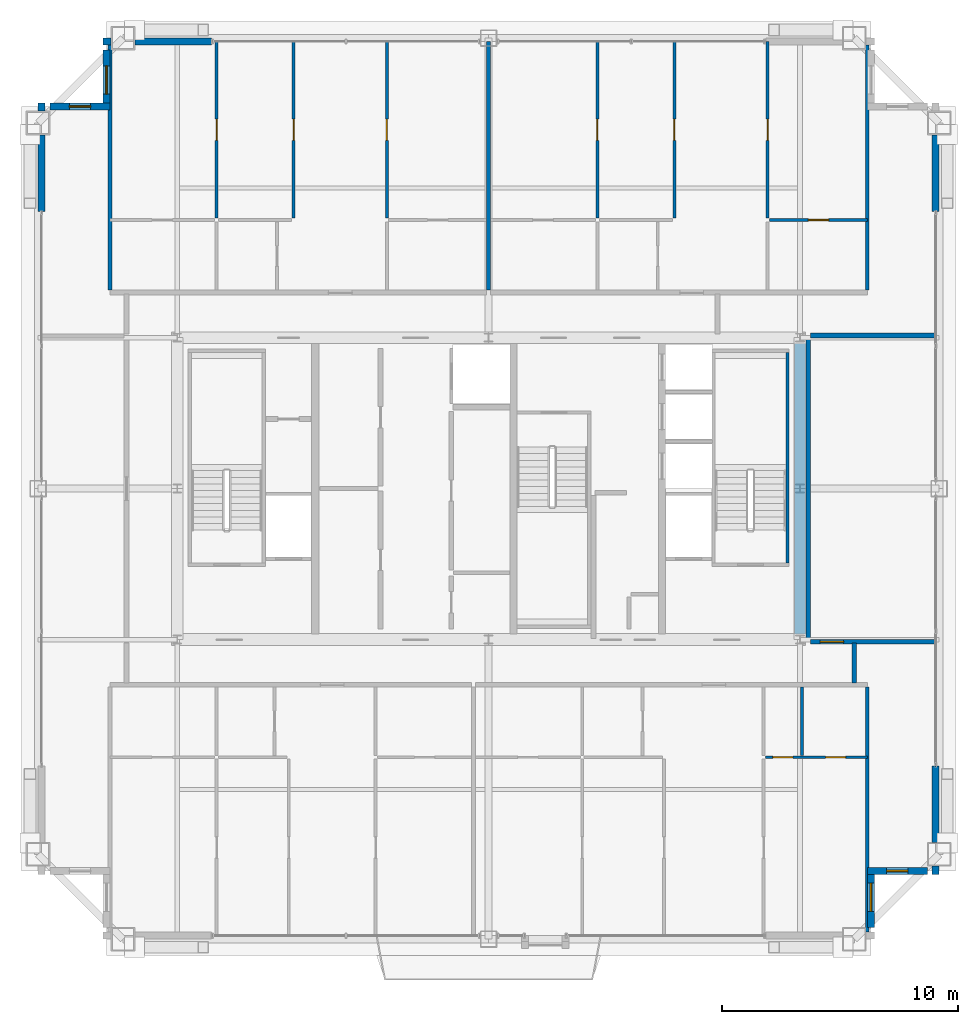
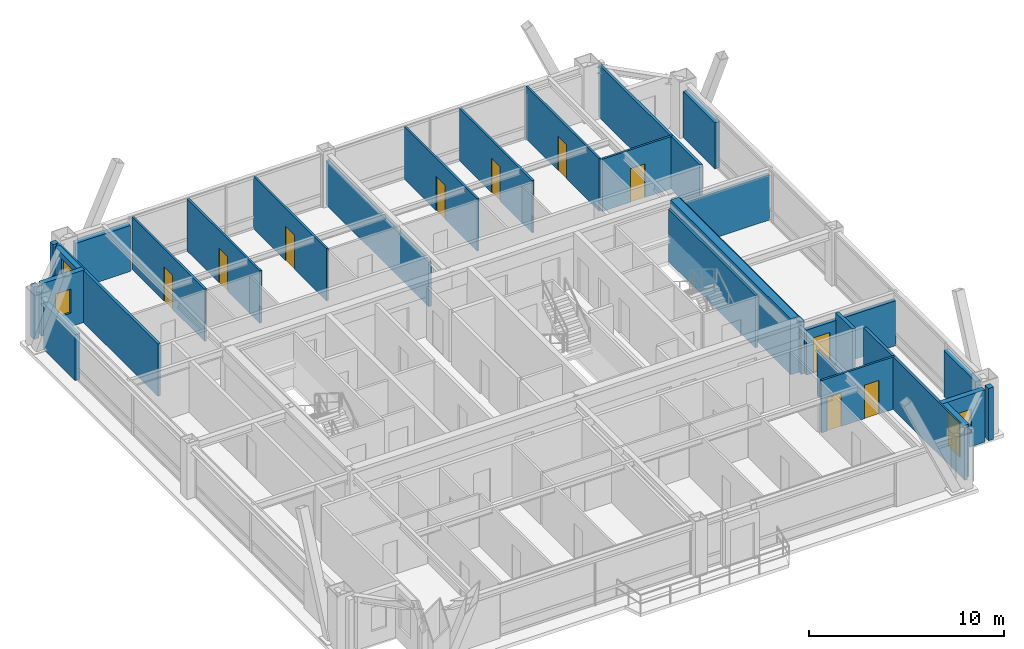
# One storey, part 33 of 35: 30 walls, 10 doors, 4 windows, 14 openings.
"""IFC4 building model written with IfcOpenShell, lengths in metres."""

from ifc_helpers import new_model, si_unit, direction, frame, frame_2d, origin, place, context, subcontext, project, spatial, rectangle, extrude, source, transform, mapped, material, layer, layer_set, type_object, element, fill, save


model = new_model("IFC4")

# Units and contexts
model_context = context("Model", 3, precision=1e-05, world=origin(), true_north=direction((0.0, 1.0)))
body_context = subcontext(model_context, "Body", "Model", "MODEL_VIEW")
ifc_project = project(units=[si_unit("LENGTHUNIT", "METRE"), si_unit("AREAUNIT", "SQUARE_METRE"), si_unit("VOLUMEUNIT", "CUBIC_METRE"), si_unit("PLANEANGLEUNIT", "RADIAN"), si_unit("MASSUNIT", "GRAM", prefix="KILO"), si_unit("THERMODYNAMICTEMPERATUREUNIT", "KELVIN"), si_unit("POWERUNIT", "WATT")], contexts=[model_context])

# Site, building, storey
site_placement = place(None, origin())
site = spatial("IfcSite", under=ifc_project, at=site_placement, CompositionType="ELEMENT")
building_placement = place(site_placement, origin())
building = spatial("IfcBuilding", under=site, at=building_placement, Name="Yuzanri Waterfront Tower", CompositionType="ELEMENT")
storey_placement = place(building_placement, frame((0.0, 0.0, 299.60009765625)))
storey = spatial("IfcBuildingStorey", under=building, at=storey_placement, Name="L80", CompositionType="ELEMENT", Elevation=299.60009765625)

# Wall, openings, doors
ifc_material_1 = material(Name="Moisture-Resistant Gypsum Stud Wall", Category="gypsum")
ifc_layer_1 = layer(ifc_material_1, 0.1201171875)
ifc_layer_set_1 = layer_set([ifc_layer_1], Name="Moisture-Resistant Gypsum Stud Wall")
wall_type_1 = type_object("IfcWallType", Name="Bathroom and Kitchen Wet Partition 120", PredefinedType="PARTITIONING", material=ifc_layer_set_1)
wall_1_placement = place(storey_placement, frame((48.738037109375, 14.409912109375, 0.0), z_axis=(0.0, 0.0, 1.0), x_axis=(1.0, 0.0, 0.0)))
wall_1 = element("IfcWall", 1, at=wall_1_placement, inside=storey, type_object=wall_type_1, Name="L80 Partition UW-L80-HS2-SUB-6-N", PredefinedType="PARTITIONING", context=body_context, shape_type="SweptSolid", body=[
    extrude(rectangle(XDim=4.322021484375, YDim=0.1201171875, at=frame_2d((2.1611328125, 0.0))), origin(), (0.0, 0.0, 1.0), 3.27978515625),
])
opening_1_placement = place(wall_1_placement, frame((2.547119140625, 0.0, 0.0)))
opening_1 = element("IfcOpeningElement", 2, at=opening_1_placement, cuts=wall_1, Name="Opening ID-0850", PredefinedType="OPENING", context=body_context, shape_type="SweptSolid", body=[
    extrude(rectangle(XDim=0.85009765625, YDim=2.10009765625, at=frame_2d((0.425048828125, 1.050048828125))), frame((0.0, 0.074951171875, 0.0), z_axis=(0.0, -1.0, 0.0), x_axis=(1.0, 0.0, 0.0)), (0.0, 0.0, 1.0), 0.14990234375),
])
opening_2_placement = place(wall_1_placement, frame((0.305908203125, 0.0, 0.0)))
opening_2 = element("IfcOpeningElement", 3, at=opening_2_placement, cuts=wall_1, Name="Opening ID-0850", PredefinedType="OPENING", context=body_context, shape_type="SweptSolid", body=[
    extrude(rectangle(XDim=0.85009765625, YDim=2.10009765625, at=frame_2d((0.425048828125, 1.050048828125))), frame((0.0, 0.074951171875, 0.0), z_axis=(0.0, -1.0, 0.0), x_axis=(1.0, 0.0, 0.0)), (0.0, 0.0, 1.0), 0.14990234375),
])
ifc_material_2 = material(Name="Moisture-Resistant Lacquered Timber", Category="wood")
door_type_1 = type_object("IfcDoorType", Name="En-Suite Bathroom and Kitchen Swing Door 850x2100", OperationType="NOTDEFINED", PredefinedType="DOOR", material=ifc_material_2)
shared_shape_1 = source(origin(), body_context, "Body", "SweptSolid", [
    extrude(rectangle(XDim=0.85009765625, YDim=2.10009765625, at=frame_2d((0.425048828125, 1.050048828125))), frame((0.0, 0.02490234375, 0.0), z_axis=(0.0, -1.0, 0.0), x_axis=(1.0, 0.0, 0.0)), (0.0, 0.0, 1.0), 0.050048828125),
])
door_1_placement = place(opening_1_placement, origin())
door_1 = element("IfcDoor", 4, at=door_1_placement, inside=storey, type_object=door_type_1, Name="L80 Suite Interior Room Door", OperationType="SINGLE_SWING_LEFT", OverallHeight=2.10009765625, OverallWidth=0.85009765625, PredefinedType="DOOR", context=body_context, shape_type="MappedRepresentation", body=[
    mapped(shared_shape_1, transform((0.0, 0.0, 0.0), scale=1.0)),
])
fill(opening_1, door_1)
door_2_placement = place(opening_2_placement, origin())
door_2 = element("IfcDoor", 5, at=door_2_placement, inside=storey, type_object=door_type_1, Name="L80 Suite Interior Room Door", OperationType="SINGLE_SWING_RIGHT", OverallHeight=2.10009765625, OverallWidth=0.85009765625, PredefinedType="DOOR", context=body_context, shape_type="MappedRepresentation", body=[
    mapped(shared_shape_1, transform((0.0, 0.0, 0.0), scale=1.0)),
])
fill(opening_2, door_2)

# Wall, opening, door
wall_2_placement = place(storey_placement, frame((25.469970703125, 37.27001953125, 0.0), z_axis=(0.0, 0.0, 1.0), x_axis=(0.0, 1.0, 0.0)))
wall_2 = element("IfcWall", 6, at=wall_2_placement, inside=storey, type_object=wall_type_1, Name="L80 Partition UW-L80-HN1-SUB-4-E", PredefinedType="PARTITIONING", context=body_context, shape_type="SweptSolid", body=[
    extrude(rectangle(XDim=7.47998046875, YDim=0.1201171875, at=frame_2d((3.739990234375, 0.0))), origin(), (0.0, 0.0, 1.0), 3.27978515625),
])
opening_3_placement = place(wall_2_placement, frame((3.2900390625, 0.0, 0.0)))
opening_3 = element("IfcOpeningElement", 7, at=opening_3_placement, cuts=wall_2, Name="Opening ID-0900", PredefinedType="OPENING", context=body_context, shape_type="SweptSolid", body=[
    extrude(rectangle(XDim=0.89990234375, YDim=2.14990234375, at=frame_2d((0.449951171875, 1.074951171875))), frame((0.0, 0.074951171875, 0.0), z_axis=(0.0, -1.0, 0.0), x_axis=(1.0, 0.0, 0.0)), (0.0, 0.0, 1.0), 0.14990234375),
])
ifc_material_3 = material(Name="Stained Walnut Veneer Timber", Category="wood")
door_type_2 = type_object("IfcDoorType", Name="Bedroom and Study Interior Swing Door 900x2150", OperationType="NOTDEFINED", PredefinedType="DOOR", material=ifc_material_3)
shared_shape_2 = source(origin(), body_context, "Body", "SweptSolid", [
    extrude(rectangle(XDim=0.89990234375, YDim=2.14990234375, at=frame_2d((0.449951171875, 1.074951171875))), frame((0.0, 0.02490234375, 0.0), z_axis=(0.0, -1.0, 0.0), x_axis=(1.0, 0.0, 0.0)), (0.0, 0.0, 1.0), 0.050048828125),
])
door_3_placement = place(opening_3_placement, origin())
door_3 = element("IfcDoor", 8, at=door_3_placement, inside=storey, type_object=door_type_2, Name="L80 Suite Interior Room Door", OperationType="SINGLE_SWING_RIGHT", OverallHeight=2.14990234375, OverallWidth=0.89990234375, PredefinedType="DOOR", context=body_context, shape_type="MappedRepresentation", body=[
    mapped(shared_shape_2, transform((0.0, 0.0, 0.0), scale=1.0)),
])
fill(opening_3, door_3)

wall_3_placement = place(storey_placement, frame((32.68505859375, 37.27001953125, 0.0), z_axis=(0.0, 0.0, 1.0), x_axis=(0.0, 1.0, 0.0)))
wall_3 = element("IfcWall", 9, at=wall_3_placement, inside=storey, type_object=wall_type_1, Name="L80 Partition UW-L80-HN1-SUB-5-W", PredefinedType="PARTITIONING", context=body_context, shape_type="SweptSolid", body=[
    extrude(rectangle(XDim=7.47998046875, YDim=0.1201171875, at=frame_2d((3.739990234375, 0.0))), origin(), (0.0, 0.0, 1.0), 3.27978515625),
])
opening_4_placement = place(wall_3_placement, frame((3.2900390625, 0.0, 0.0)))
opening_4 = element("IfcOpeningElement", 10, at=opening_4_placement, cuts=wall_3, Name="Opening ID-0900", PredefinedType="OPENING", context=body_context, shape_type="SweptSolid", body=[
    extrude(rectangle(XDim=0.89990234375, YDim=2.14990234375, at=frame_2d((0.449951171875, 1.074951171875))), frame((0.0, 0.074951171875, 0.0), z_axis=(0.0, -1.0, 0.0), x_axis=(1.0, 0.0, 0.0)), (0.0, 0.0, 1.0), 0.14990234375),
])
door_4_placement = place(opening_4_placement, origin())
door_4 = element("IfcDoor", 11, at=door_4_placement, inside=storey, type_object=door_type_2, Name="L80 Suite Interior Room Door", OperationType="SINGLE_SWING_LEFT", OverallHeight=2.14990234375, OverallWidth=0.89990234375, PredefinedType="DOOR", context=body_context, shape_type="MappedRepresentation", body=[
    mapped(shared_shape_2, transform((0.0, 0.0, 0.0), scale=1.0)),
])
fill(opening_4, door_4)

wall_4_placement = place(storey_placement, frame((28.73388671875, 37.27001953125, 0.0), z_axis=(0.0, 0.0, 1.0), x_axis=(0.0, 1.0, 0.0)))
wall_4 = element("IfcWall", 12, at=wall_4_placement, inside=storey, type_object=wall_type_1, Name="L80 Partition UW-L80-HN1-SUB-6-E", PredefinedType="PARTITIONING", context=body_context, shape_type="SweptSolid", body=[
    extrude(rectangle(XDim=7.47998046875, YDim=0.1201171875, at=frame_2d((3.739990234375, 0.0))), origin(), (0.0, 0.0, 1.0), 3.27978515625),
])
opening_5_placement = place(wall_4_placement, frame((3.2900390625, 0.0, 0.0)))
opening_5 = element("IfcOpeningElement", 13, at=opening_5_placement, cuts=wall_4, Name="Opening ID-0900", PredefinedType="OPENING", context=body_context, shape_type="SweptSolid", body=[
    extrude(rectangle(XDim=0.89990234375, YDim=2.14990234375, at=frame_2d((0.449951171875, 1.074951171875))), frame((0.0, 0.074951171875, 0.0), z_axis=(0.0, -1.0, 0.0), x_axis=(1.0, 0.0, 0.0)), (0.0, 0.0, 1.0), 0.14990234375),
])
door_5_placement = place(opening_5_placement, origin())
door_5 = element("IfcDoor", 14, at=door_5_placement, inside=storey, type_object=door_type_2, Name="L80 Suite Interior Room Door", OperationType="SINGLE_SWING_RIGHT", OverallHeight=2.14990234375, OverallWidth=0.89990234375, PredefinedType="DOOR", context=body_context, shape_type="MappedRepresentation", body=[
    mapped(shared_shape_2, transform((0.0, 0.0, 0.0), scale=1.0)),
])
fill(opening_5, door_5)

wall_5_placement = place(storey_placement, frame((48.905029296875, 37.18994140625, 0.0), z_axis=(0.0, 0.0, 1.0), x_axis=(1.0, 0.0, 0.0)))
wall_5 = element("IfcWall", 15, at=wall_5_placement, inside=storey, type_object=wall_type_1, Name="L80 Partition UW-L80-HN2-SUB-3-N", PredefinedType="PARTITIONING", context=body_context, shape_type="SweptSolid", body=[
    extrude(rectangle(XDim=4.155029296875, YDim=0.1201171875, at=frame_2d((2.07763671875, 0.0))), origin(), (0.0, 0.0, 1.0), 3.27978515625),
])
opening_6_placement = place(wall_5_placement, frame((1.652587890625, 0.0, 0.0)))
opening_6 = element("IfcOpeningElement", 16, at=opening_6_placement, cuts=wall_5, Name="Opening ID-0850", PredefinedType="OPENING", context=body_context, shape_type="SweptSolid", body=[
    extrude(rectangle(XDim=0.85009765625, YDim=2.10009765625, at=frame_2d((0.425048828125, 1.050048828125))), frame((0.0, 0.074951171875, 0.0), z_axis=(0.0, -1.0, 0.0), x_axis=(1.0, 0.0, 0.0)), (0.0, 0.0, 1.0), 0.14990234375),
])
door_6_placement = place(opening_6_placement, origin())
door_6 = element("IfcDoor", 17, at=door_6_placement, inside=storey, type_object=door_type_1, Name="L80 Suite Interior Room Door", OperationType="SINGLE_SWING_RIGHT", OverallHeight=2.10009765625, OverallWidth=0.85009765625, PredefinedType="DOOR", context=body_context, shape_type="MappedRepresentation", body=[
    mapped(shared_shape_1, transform((0.0, 0.0, 0.0), scale=1.0)),
])
fill(opening_6, door_6)

wall_6_placement = place(storey_placement, frame((41.610107421875, 37.27001953125, 0.0), z_axis=(0.0, 0.0, 1.0), x_axis=(0.0, 1.0, 0.0)))
wall_6 = element("IfcWall", 18, at=wall_6_placement, inside=storey, type_object=wall_type_1, Name="L80 Partition UW-L80-HN2-SUB-4-E", PredefinedType="PARTITIONING", context=body_context, shape_type="SweptSolid", body=[
    extrude(rectangle(XDim=7.47998046875, YDim=0.1201171875, at=frame_2d((3.739990234375, 0.0))), origin(), (0.0, 0.0, 1.0), 3.27978515625),
])
opening_7_placement = place(wall_6_placement, frame((3.2900390625, 0.0, 0.0)))
opening_7 = element("IfcOpeningElement", 19, at=opening_7_placement, cuts=wall_6, Name="Opening ID-0900", PredefinedType="OPENING", context=body_context, shape_type="SweptSolid", body=[
    extrude(rectangle(XDim=0.89990234375, YDim=2.14990234375, at=frame_2d((0.449951171875, 1.074951171875))), frame((0.0, 0.074951171875, 0.0), z_axis=(0.0, -1.0, 0.0), x_axis=(1.0, 0.0, 0.0)), (0.0, 0.0, 1.0), 0.14990234375),
])
door_7_placement = place(opening_7_placement, origin())
door_7 = element("IfcDoor", 20, at=door_7_placement, inside=storey, type_object=door_type_2, Name="L80 Suite Interior Room Door", OperationType="SINGLE_SWING_LEFT", OverallHeight=2.14990234375, OverallWidth=0.89990234375, PredefinedType="DOOR", context=body_context, shape_type="MappedRepresentation", body=[
    mapped(shared_shape_2, transform((0.0, 0.0, 0.0), scale=1.0)),
])
fill(opening_7, door_7)

wall_7_placement = place(storey_placement, frame((48.824951171875, 37.27001953125, 0.0), z_axis=(0.0, 0.0, 1.0), x_axis=(0.0, 1.0, 0.0)))
wall_7 = element("IfcWall", 21, at=wall_7_placement, inside=storey, type_object=wall_type_1, Name="L80 Partition UW-L80-HN2-SUB-5-W", PredefinedType="PARTITIONING", context=body_context, shape_type="SweptSolid", body=[
    extrude(rectangle(XDim=7.47998046875, YDim=0.1201171875, at=frame_2d((3.739990234375, 0.0))), origin(), (0.0, 0.0, 1.0), 3.27978515625),
])
opening_8_placement = place(wall_7_placement, frame((3.2900390625, 0.0, 0.0)))
opening_8 = element("IfcOpeningElement", 22, at=opening_8_placement, cuts=wall_7, Name="Opening ID-0900", PredefinedType="OPENING", context=body_context, shape_type="SweptSolid", body=[
    extrude(rectangle(XDim=0.89990234375, YDim=2.14990234375, at=frame_2d((0.449951171875, 1.074951171875))), frame((0.0, 0.074951171875, 0.0), z_axis=(0.0, -1.0, 0.0), x_axis=(1.0, 0.0, 0.0)), (0.0, 0.0, 1.0), 0.14990234375),
])
door_8_placement = place(opening_8_placement, origin())
door_8 = element("IfcDoor", 23, at=door_8_placement, inside=storey, type_object=door_type_2, Name="L80 Suite Interior Room Door", OperationType="SINGLE_SWING_RIGHT", OverallHeight=2.14990234375, OverallWidth=0.89990234375, PredefinedType="DOOR", context=body_context, shape_type="MappedRepresentation", body=[
    mapped(shared_shape_2, transform((0.0, 0.0, 0.0), scale=1.0)),
])
fill(opening_8, door_8)

wall_8_placement = place(storey_placement, frame((44.8740234375, 37.27001953125, 0.0), z_axis=(0.0, 0.0, 1.0), x_axis=(0.0, 1.0, 0.0)))
wall_8 = element("IfcWall", 24, at=wall_8_placement, inside=storey, type_object=wall_type_1, Name="L80 Partition UW-L80-HN2-SUB-6-E", PredefinedType="PARTITIONING", context=body_context, shape_type="SweptSolid", body=[
    extrude(rectangle(XDim=7.47998046875, YDim=0.1201171875, at=frame_2d((3.739990234375, 0.0))), origin(), (0.0, 0.0, 1.0), 3.27978515625),
])
opening_9_placement = place(wall_8_placement, frame((3.2900390625, 0.0, 0.0)))
opening_9 = element("IfcOpeningElement", 25, at=opening_9_placement, cuts=wall_8, Name="Opening ID-0900", PredefinedType="OPENING", context=body_context, shape_type="SweptSolid", body=[
    extrude(rectangle(XDim=0.89990234375, YDim=2.14990234375, at=frame_2d((0.449951171875, 1.074951171875))), frame((0.0, 0.074951171875, 0.0), z_axis=(0.0, -1.0, 0.0), x_axis=(1.0, 0.0, 0.0)), (0.0, 0.0, 1.0), 0.14990234375),
])
door_9_placement = place(opening_9_placement, origin())
door_9 = element("IfcDoor", 26, at=door_9_placement, inside=storey, type_object=door_type_2, Name="L80 Suite Interior Room Door", OperationType="SINGLE_SWING_LEFT", OverallHeight=2.14990234375, OverallWidth=0.89990234375, PredefinedType="DOOR", context=body_context, shape_type="MappedRepresentation", body=[
    mapped(shared_shape_2, transform((0.0, 0.0, 0.0), scale=1.0)),
])
fill(opening_9, door_9)

# Wall, opening, window
ifc_material_4 = material(Name="Honed Chongqing Dark Basalt Stone", Category="masonry")
ifc_layer_2 = layer(ifc_material_4, 0.300048828125)
ifc_layer_set_2 = layer_set([ifc_layer_2], Name="Honed Chongqing Dark Basalt Stone")
wall_type_2 = type_object("IfcWallType", Name="Bronze Rainscreen Insulated Spandrel Portal Wall 300", PredefinedType="SOLIDWALL", material=ifc_layer_set_2)
wall_9_placement = place(storey_placement, frame((53.050048828125, 9.60009765625, 0.0), z_axis=(0.0, 0.0, 1.0), x_axis=(1.0, 0.0, 0.0)))
wall_9 = element("IfcWall", 27, at=wall_9_placement, inside=storey, type_object=wall_type_2, Name="L80 Notched Corner Masonry Wall SE-X", PredefinedType="SOLIDWALL", context=body_context, shape_type="SweptSolid", body=[
    extrude(rectangle(XDim=2.550048828125, YDim=0.300048828125, at=frame_2d((1.27490234375, 0.0))), origin(), (0.0, 0.0, 1.0), 3.27978515625),
])
opening_10_placement = place(wall_9_placement, frame((0.824951171875, 0.0, 0.85009765625)))
opening_10 = element("IfcOpeningElement", 28, at=opening_10_placement, cuts=wall_9, Name="Opening WN-05", PredefinedType="OPENING", context=body_context, shape_type="SweptSolid", body=[
    extrude(rectangle(XDim=0.89990234375, YDim=1.5, at=frame_2d((0.449951171875, 0.75))), frame((0.0, 0.1650390625, 0.0), z_axis=(0.0, -1.0, 0.0), x_axis=(1.0, 0.0, 0.0)), (0.0, 0.0, 1.0), 0.329833984375),
])
ifc_material_5 = material(Name="Double-Silver Low-E Insulated Glass", Category="glass")
window_type_1 = type_object("IfcWindowType", Name="Anodized Bronze Service and Stairwell Smoke-Vent Window 900x1500", PartitioningType="SINGLE_PANEL", PredefinedType="WINDOW", material=ifc_material_5)
shared_shape_3 = source(origin(), body_context, "Body", "SweptSolid", [
    extrude(rectangle(XDim=0.89990234375, YDim=1.5, at=frame_2d((0.449951171875, 0.75))), frame((0.0, 0.030029296875, 0.0), z_axis=(0.0, -1.0, 0.0), x_axis=(1.0, 0.0, 0.0)), (0.0, 0.0, 1.0), 0.06005859375),
])
window_1_placement = place(opening_10_placement, origin())
window_1 = element("IfcWindow", 29, at=window_1_placement, inside=storey, type_object=window_type_1, Name="L80 Notched Corner Window SE-X", OverallHeight=1.5, OverallWidth=0.89990234375, PartitioningType="SINGLE_PANEL", PredefinedType="WINDOW", context=body_context, shape_type="MappedRepresentation", body=[
    mapped(shared_shape_3, transform((0.0, 0.0, 0.0), scale=1.0)),
])
fill(opening_10, window_1)

wall_10_placement = place(storey_placement, frame((53.199951171875, 7.199951171875, 0.0), z_axis=(0.0, 0.0, 1.0), x_axis=(0.0, 1.0, 0.0)))
wall_10 = element("IfcWall", 30, at=wall_10_placement, inside=storey, type_object=wall_type_2, Name="L80 Notched Corner Masonry Wall SE-Y", PredefinedType="SOLIDWALL", context=body_context, shape_type="SweptSolid", body=[
    extrude(rectangle(XDim=2.550048828125, YDim=0.300048828125, at=frame_2d((1.27490234375, 0.0))), origin(), (0.0, 0.0, 1.0), 3.27978515625),
])
opening_11_placement = place(wall_10_placement, frame((0.675048828125, 0.0, 0.85009765625)))
opening_11 = element("IfcOpeningElement", 31, at=opening_11_placement, cuts=wall_10, Name="Opening WN-02", PredefinedType="OPENING", context=body_context, shape_type="SweptSolid", body=[
    extrude(rectangle(XDim=1.199951171875, YDim=2.10009765625, at=frame_2d((0.60009765625, 1.050048828125))), frame((0.0, 0.1650390625, 0.0), z_axis=(0.0, -1.0, 0.0), x_axis=(1.0, 0.0, 0.0)), (0.0, 0.0, 1.0), 0.329833984375),
])
ifc_material_6 = material(Name="Double-Silver Low-E Insulated Glass", Category="glass")
window_type_2 = type_object("IfcWindowType", Name="Anodized Bronze Notched Corner Deep-Set Slot Window 1200x2100", PartitioningType="SINGLE_PANEL", PredefinedType="WINDOW", material=ifc_material_6)
shared_shape_4 = source(origin(), body_context, "Body", "SweptSolid", [
    extrude(rectangle(XDim=1.199951171875, YDim=2.10009765625, at=frame_2d((0.60009765625, 1.050048828125))), frame((0.0, 0.030029296875, 0.0), z_axis=(0.0, -1.0, 0.0), x_axis=(1.0, 0.0, 0.0)), (0.0, 0.0, 1.0), 0.06005859375),
])
window_2_placement = place(opening_11_placement, origin())
window_2 = element("IfcWindow", 32, at=window_2_placement, inside=storey, type_object=window_type_2, Name="L80 Notched Corner Window SE-Y", OverallHeight=2.10009765625, OverallWidth=1.199951171875, PartitioningType="SINGLE_PANEL", PredefinedType="WINDOW", context=body_context, shape_type="MappedRepresentation", body=[
    mapped(shared_shape_4, transform((0.0, 0.0, 0.0), scale=1.0)),
])
fill(opening_11, window_2)

wall_11_placement = place(storey_placement, frame((20.949951171875, 42.0, 0.0), z_axis=(0.0, 0.0, 1.0), x_axis=(-1.0, 0.0, 0.0)))
wall_11 = element("IfcWall", 33, at=wall_11_placement, inside=storey, type_object=wall_type_2, Name="L80 Notched Corner Masonry Wall NW-X", PredefinedType="SOLIDWALL", context=body_context, shape_type="SweptSolid", body=[
    extrude(rectangle(XDim=2.550048828125, YDim=0.300048828125, at=frame_2d((1.27490234375, 0.0))), origin(), (0.0, 0.0, 1.0), 3.27978515625),
])
opening_12_placement = place(wall_11_placement, frame((0.824951171875, 0.0, 0.85009765625)))
opening_12 = element("IfcOpeningElement", 34, at=opening_12_placement, cuts=wall_11, Name="Opening WN-05", PredefinedType="OPENING", context=body_context, shape_type="SweptSolid", body=[
    extrude(rectangle(XDim=0.89990234375, YDim=1.5, at=frame_2d((0.449951171875, 0.75))), frame((0.0, 0.1650390625, 0.0), z_axis=(0.0, -1.0, 0.0), x_axis=(1.0, 0.0, 0.0)), (0.0, 0.0, 1.0), 0.329833984375),
])
window_3_placement = place(opening_12_placement, origin())
window_3 = element("IfcWindow", 35, at=window_3_placement, inside=storey, type_object=window_type_1, Name="L80 Notched Corner Window NW-X", OverallHeight=1.5, OverallWidth=0.89990234375, PartitioningType="SINGLE_PANEL", PredefinedType="WINDOW", context=body_context, shape_type="MappedRepresentation", body=[
    mapped(shared_shape_3, transform((0.0, 0.0, 0.0), scale=1.0)),
])
fill(opening_12, window_3)

wall_12_placement = place(storey_placement, frame((20.800048828125, 44.39990234375, 0.0), z_axis=(0.0, 0.0, 1.0), x_axis=(0.0, -1.0, 0.0)))
wall_12 = element("IfcWall", 36, at=wall_12_placement, inside=storey, type_object=wall_type_2, Name="L80 Notched Corner Masonry Wall NW-Y", PredefinedType="SOLIDWALL", context=body_context, shape_type="SweptSolid", body=[
    extrude(rectangle(XDim=2.5498046875, YDim=0.300048828125, at=frame_2d((1.27490234375, 0.0))), origin(), (0.0, 0.0, 1.0), 3.27978515625),
])
opening_13_placement = place(wall_12_placement, frame((0.675048828125, 0.0, 0.85009765625)))
opening_13 = element("IfcOpeningElement", 37, at=opening_13_placement, cuts=wall_12, Name="Opening WN-02", PredefinedType="OPENING", context=body_context, shape_type="SweptSolid", body=[
    extrude(rectangle(XDim=1.199951171875, YDim=2.10009765625, at=frame_2d((0.60009765625, 1.050048828125))), frame((0.0, 0.1650390625, 0.0), z_axis=(0.0, -1.0, 0.0), x_axis=(1.0, 0.0, 0.0)), (0.0, 0.0, 1.0), 0.329833984375),
])
window_4_placement = place(opening_13_placement, origin())
window_4 = element("IfcWindow", 38, at=window_4_placement, inside=storey, type_object=window_type_2, Name="L80 Notched Corner Window NW-Y", OverallHeight=2.10009765625, OverallWidth=1.199951171875, PartitioningType="SINGLE_PANEL", PredefinedType="WINDOW", context=body_context, shape_type="MappedRepresentation", body=[
    mapped(shared_shape_4, transform((0.0, 0.0, 0.0), scale=1.0)),
])
fill(opening_13, window_4)

# Wall, opening, door
ifc_material_7 = material(Name="Autoclaved Aerated Concrete Blockwork", Category="masonry")
ifc_layer_3 = layer(ifc_material_7, 0.199951171875)
ifc_layer_set_3 = layer_set([ifc_layer_3], Name="Autoclaved Aerated Concrete Blockwork")
wall_type_3 = type_object("IfcWallType", Name="Corridor and Unit Party Fire Wall 200", PredefinedType="PARTITIONING", material=ifc_layer_set_3)
wall_13_placement = place(storey_placement, frame((50.64990234375, 19.31005859375, 0.0), z_axis=(0.0, 0.0, 1.0), x_axis=(1.0, 0.0, 0.0)))
wall_13 = element("IfcWall", 39, at=wall_13_placement, inside=storey, type_object=wall_type_3, Name="L80 Partition UW-L80-050-CS", PredefinedType="PARTITIONING", context=body_context, shape_type="SweptSolid", body=[
    extrude(rectangle(XDim=5.300048828125, YDim=0.199951171875, at=frame_2d((2.64990234375, 0.0))), origin(), (0.0, 0.0, 1.0), 2.824951171875),
])
opening_14_placement = place(wall_13_placement, frame((0.39990234375, 0.0, 0.0)))
opening_14 = element("IfcOpeningElement", 40, at=opening_14_placement, cuts=wall_13, Name="Opening FD-1000", PredefinedType="OPENING", context=body_context, shape_type="SweptSolid", body=[
    extrude(rectangle(XDim=1.0, YDim=2.199951171875, at=frame_2d((0.5, 1.10009765625))), frame((0.0, 0.11474609375, 0.0), z_axis=(0.0, -1.0, 0.0), x_axis=(1.0, 0.0, 0.0)), (0.0, 0.0, 1.0), 0.229736328125),
])
ifc_material_8 = material(Name="Engineered Oak Fire-Rated Timber", Category="wood")
door_type_3 = type_object("IfcDoorType", Name="Guestroom and Apartment Entrance Fire Door 1000x2200", OperationType="NOTDEFINED", PredefinedType="DOOR", material=ifc_material_8)
shared_shape_5 = source(origin(), body_context, "Body", "SweptSolid", [
    extrude(rectangle(XDim=1.0, YDim=2.199951171875, at=frame_2d((0.5, 1.10009765625))), frame((0.0, 0.02490234375, 0.0), z_axis=(0.0, -1.0, 0.0), x_axis=(1.0, 0.0, 0.0)), (0.0, 0.0, 1.0), 0.050048828125),
])
door_10_placement = place(opening_14_placement, origin())
door_10 = element("IfcDoor", 41, at=door_10_placement, inside=storey, type_object=door_type_3, Name="L80 High-Rise E Wellness Gym Studio Entrance Door", OperationType="SINGLE_SWING_LEFT", OverallHeight=2.199951171875, OverallWidth=1.0, PredefinedType="DOOR", context=body_context, shape_type="MappedRepresentation", body=[
    mapped(shared_shape_5, transform((0.0, 0.0, 0.0), scale=1.0)),
])
fill(opening_14, door_10)

# Walls
ifc_material_9 = material(Name="Concrete C45", Category="concrete")
ifc_layer_4 = layer(ifc_material_9, 0.47998046875)
ifc_layer_set_4 = layer_set([ifc_layer_4], Name="Concrete C45")
wall_type_4 = type_object("IfcWallType", Name="Concrete C45 High-Rise Core Shear Wall 480", PredefinedType="SHEAR", material=ifc_layer_set_4)
shared_shape_6 = source(origin(), body_context, "Body", "SweptSolid", [
    extrude(rectangle(XDim=12.320068359375, YDim=0.47998046875, at=frame_2d((6.16015625, 0.0))), origin(), (0.0, 0.0, 1.0), 3.5),
])
wall_14_placement = place(storey_placement, frame((50.199951171875, 19.639892578125, 0.0), z_axis=(0.0, 0.0, 1.0), x_axis=(0.0, 1.0, 0.0)))
element("IfcWall", 42, at=wall_14_placement, inside=storey, type_object=wall_type_4, Name="L80 Core East Shear Wall", PredefinedType="SHEAR", context=body_context, shape_type="MappedRepresentation", body=[
    mapped(shared_shape_6, transform((0.0, 0.0, 0.0), scale=1.0)),
])
shared_shape_7 = source(origin(), body_context, "Body", "SweptSolid", [
    extrude(rectangle(XDim=0.35009765625, YDim=0.300048828125, at=frame_2d((0.175048828125, 0.0))), origin(), (0.0, 0.0, 1.0), 3.27978515625),
])
for number, where, z_axis, x_axis, name in (
    (43, (20.64990234375, 44.75, 0.0), (0.0, 0.0, 1.0), (1.0, 0.0, 0.0), "L80 Corner Column Shoulder Return CNW"),
    (44, (55.949951171875, 9.449951171875, 0.0), (0.0, 0.0, 1.0), (0.0, 1.0, 0.0), "L80 Corner Column Shoulder Return CES"),
):
    element("IfcWall", number, at=place(storey_placement, frame(where, z_axis=z_axis, x_axis=x_axis)), inside=storey, type_object=wall_type_2, Name=name, PredefinedType="SOLIDWALL", context=body_context, shape_type="MappedRepresentation", body=[
        mapped(shared_shape_7, transform((0.0, 0.0, 0.0), scale=1.0)),
    ])
shared_shape_8 = source(origin(), body_context, "Body", "SweptSolid", [
    extrude(rectangle(XDim=0.349853515625, YDim=0.300048828125, at=frame_2d((0.1748046875, 0.0))), origin(), (0.0, 0.0, 1.0), 3.27978515625),
])
wall_15_placement = place(storey_placement, frame((18.050048828125, 41.800048828125, 0.0), z_axis=(0.0, 0.0, 1.0), x_axis=(0.0, 1.0, 0.0)))
element("IfcWall", 45, at=wall_15_placement, inside=storey, type_object=wall_type_2, Name="L80 Corner Column Shoulder Return CWN", PredefinedType="SOLIDWALL", context=body_context, shape_type="MappedRepresentation", body=[
    mapped(shared_shape_8, transform((0.0, 0.0, 0.0), scale=1.0)),
])
shared_shape_9 = source(origin(), body_context, "Body", "SweptSolid", [
    extrude(rectangle(XDim=3.25, YDim=0.300048828125, at=frame_2d((1.625, 0.0))), origin(), (0.0, 0.0, 1.0), 2.885009765625),
])
for number, where, z_axis, x_axis, name in (
    (46, (22.0, 44.75, 0.0), (0.0, 0.0, 1.0), (1.0, 0.0, 0.0), "L80 N Left Braced Masonry Shoulder"),
    (47, (18.050048828125, 37.550048828125, 0.0), (0.0, 0.0, 1.0), (0.0, 1.0, 0.0), "L80 W Right Braced Masonry Shoulder"),
    (48, (55.949951171875, 10.800048828125, 0.0), (0.0, 0.0, 1.0), (0.0, 1.0, 0.0), "L80 E Left Braced Masonry Shoulder"),
    (49, (55.949951171875, 37.550048828125, 0.0), (0.0, 0.0, 1.0), (0.0, 1.0, 0.0), "L80 E Right Braced Masonry Shoulder"),
):
    element("IfcWall", number, at=place(storey_placement, frame(where, z_axis=z_axis, x_axis=x_axis)), inside=storey, type_object=wall_type_2, Name=name, PredefinedType="SOLIDWALL", context=body_context, shape_type="MappedRepresentation", body=[
        mapped(shared_shape_9, transform((0.0, 0.0, 0.0), scale=1.0)),
    ])
ifc_material_10 = material(Name="Concrete C40", Category="concrete")
ifc_layer_5 = layer(ifc_material_10, 0.139892578125)
ifc_layer_set_5 = layer_set([ifc_layer_5], Name="Concrete C40")
wall_type_5 = type_object("IfcWallType", Name="Core Stair Liner and Hoistway Shaft Wall 140", PredefinedType="SOLIDWALL", material=ifc_layer_set_5)
shared_shape_10 = source(origin(), body_context, "Body", "SweptSolid", [
    extrude(rectangle(XDim=8.940185546875, YDim=0.139892578125, at=frame_2d((4.47021484375, 0.0))), origin(), (0.0, 0.0, 1.0), 3.27978515625),
])
wall_16_placement = place(storey_placement, frame((49.669921875, 22.639892578125, 0.0), z_axis=(0.0, 0.0, 1.0), x_axis=(0.0, 1.0, 0.0)))
element("IfcWall", 50, at=wall_16_placement, inside=storey, type_object=wall_type_5, Name="L80 Stair ST-02 East Shaft Wall", PredefinedType="SOLIDWALL", context=body_context, shape_type="MappedRepresentation", body=[
    mapped(shared_shape_10, transform((0.0, 0.0, 0.0), scale=1.0)),
])
shared_shape_11 = source(origin(), body_context, "Body", "SweptSolid", [
    extrude(rectangle(XDim=1.699951171875, YDim=0.199951171875, at=frame_2d((0.85009765625, 0.0))), origin(), (0.0, 0.0, 1.0), 3.27978515625),
])
wall_17_placement = place(storey_placement, frame((52.5, 17.550048828125, 0.0), z_axis=(0.0, 0.0, 1.0), x_axis=(0.0, 1.0, 0.0)))
element("IfcWall", 51, at=wall_17_placement, inside=storey, type_object=wall_type_3, Name="L80 South Foyer East End Wall", PredefinedType="PARTITIONING", context=body_context, shape_type="MappedRepresentation", body=[
    mapped(shared_shape_11, transform((0.0, 0.0, 0.0), scale=1.0)),
])
shared_shape_12 = source(origin(), body_context, "Body", "SweptSolid", [
    extrude(rectangle(XDim=12.780029296875, YDim=0.199951171875, at=frame_2d((6.39013671875, 0.0))), origin(), (0.0, 0.0, 1.0), 3.27978515625),
])
wall_18_placement = place(storey_placement, frame((50.544921875, 19.409912109375, 0.0), z_axis=(0.0, 0.0, 1.0), x_axis=(0.0, 1.0, 0.0)))
element("IfcWall", 52, at=wall_18_placement, inside=storey, type_object=wall_type_3, Name="L80-050 Wing Inner Core-Side Wall", PredefinedType="PARTITIONING", context=body_context, shape_type="MappedRepresentation", body=[
    mapped(shared_shape_12, transform((0.0, 0.0, 0.0), scale=1.0)),
])
ifc_material_11 = material(Name="Gypsum Fireboard Acoustic Stud Wall", Category="gypsum")
ifc_layer_6 = layer(ifc_material_11, 0.159912109375)
ifc_layer_set_6 = layer_set([ifc_layer_6], Name="Gypsum Fireboard Acoustic Stud Wall")
wall_type_6 = type_object("IfcWallType", Name="Acoustic Suite Demising Partition 160", PredefinedType="PARTITIONING", material=ifc_layer_set_6)
shared_shape_13 = source(origin(), body_context, "Body", "SweptSolid", [
    extrude(rectangle(XDim=10.389892578125, YDim=0.159912109375, at=frame_2d((5.19482421875, 0.0))), origin(), (0.0, 0.0, 1.0), 3.27978515625),
])
wall_19_placement = place(storey_placement, frame((53.050048828125, 7.0, 0.0), z_axis=(0.0, 0.0, 1.0), x_axis=(0.0, 1.0, 0.0)))
element("IfcWall", 53, at=wall_19_placement, inside=storey, type_object=wall_type_6, Name="L80 South Band East End Wall", PredefinedType="PARTITIONING", context=body_context, shape_type="MappedRepresentation", body=[
    mapped(shared_shape_13, transform((0.0, 0.0, 0.0), scale=1.0)),
])
shared_shape_14 = source(origin(), body_context, "Body", "SweptSolid", [
    extrude(rectangle(XDim=10.39013671875, YDim=0.159912109375, at=frame_2d((5.195068359375, 0.0))), origin(), (0.0, 0.0, 1.0), 3.27978515625),
])
for number, where, z_axis, x_axis, name in (
    (54, (20.949951171875, 34.2099609375, 0.0), (0.0, 0.0, 1.0), (0.0, 1.0, 0.0), "L80 North Band West End Wall"),
    (55, (53.050048828125, 34.2099609375, 0.0), (0.0, 0.0, 1.0), (0.0, 1.0, 0.0), "L80 North Band East End Wall"),
):
    element("IfcWall", number, at=place(storey_placement, frame(where, z_axis=z_axis, x_axis=x_axis)), inside=storey, type_object=wall_type_6, Name=name, PredefinedType="PARTITIONING", context=body_context, shape_type="MappedRepresentation", body=[
        mapped(shared_shape_14, transform((0.0, 0.0, 0.0), scale=1.0)),
    ])
shared_shape_15 = source(origin(), body_context, "Body", "SweptSolid", [
    extrude(rectangle(XDim=5.300048828125, YDim=0.199951171875, at=frame_2d((2.64990234375, 0.0))), origin(), (0.0, 0.0, 1.0), 2.824951171875),
])
wall_20_placement = place(storey_placement, frame((50.64990234375, 32.2900390625, 0.0), z_axis=(0.0, 0.0, 1.0), x_axis=(1.0, 0.0, 0.0)))
element("IfcWall", 56, at=wall_20_placement, inside=storey, type_object=wall_type_3, Name="L80-050 Wing North Wall", PredefinedType="PARTITIONING", context=body_context, shape_type="MappedRepresentation", body=[
    mapped(shared_shape_15, transform((0.0, 0.0, 0.0), scale=1.0)),
])
shared_shape_16 = source(origin(), body_context, "Body", "SweptSolid", [
    extrude(rectangle(XDim=2.89990234375, YDim=0.1201171875, at=frame_2d((1.449951171875, 0.0))), origin(), (0.0, 0.0, 1.0), 2.824951171875),
])
wall_21_placement = place(storey_placement, frame((50.280029296875, 14.489990234375, 0.0), z_axis=(0.0, 0.0, 1.0), x_axis=(0.0, 1.0, 0.0)))
element("IfcWall", 57, at=wall_21_placement, inside=storey, type_object=wall_type_1, Name="L80 Partition UW-L80-HS2-SUB-3-W", PredefinedType="PARTITIONING", context=body_context, shape_type="MappedRepresentation", body=[
    mapped(shared_shape_16, transform((0.0, 0.0, 0.0), scale=1.0)),
])
shared_shape_17 = source(origin(), body_context, "Body", "SweptSolid", [
    extrude(rectangle(XDim=10.5400390625, YDim=0.159912109375, at=frame_2d((5.27001953125, 0.0))), origin(), (0.0, 0.0, 1.0), 2.786865234375),
])
wall_22_placement = place(storey_placement, frame((37.0, 34.2099609375, 0.0), z_axis=(0.0, 0.0, 1.0), x_axis=(0.0, 1.0, 0.0)))
element("IfcWall", 58, at=wall_22_placement, inside=storey, type_object=wall_type_6, Name="L80-HN1 Party Wall", PredefinedType="PARTITIONING", context=body_context, shape_type="MappedRepresentation", body=[
    mapped(shared_shape_17, transform((0.0, 0.0, 0.0), scale=1.0)),
])

save(model, "model.ifc")
